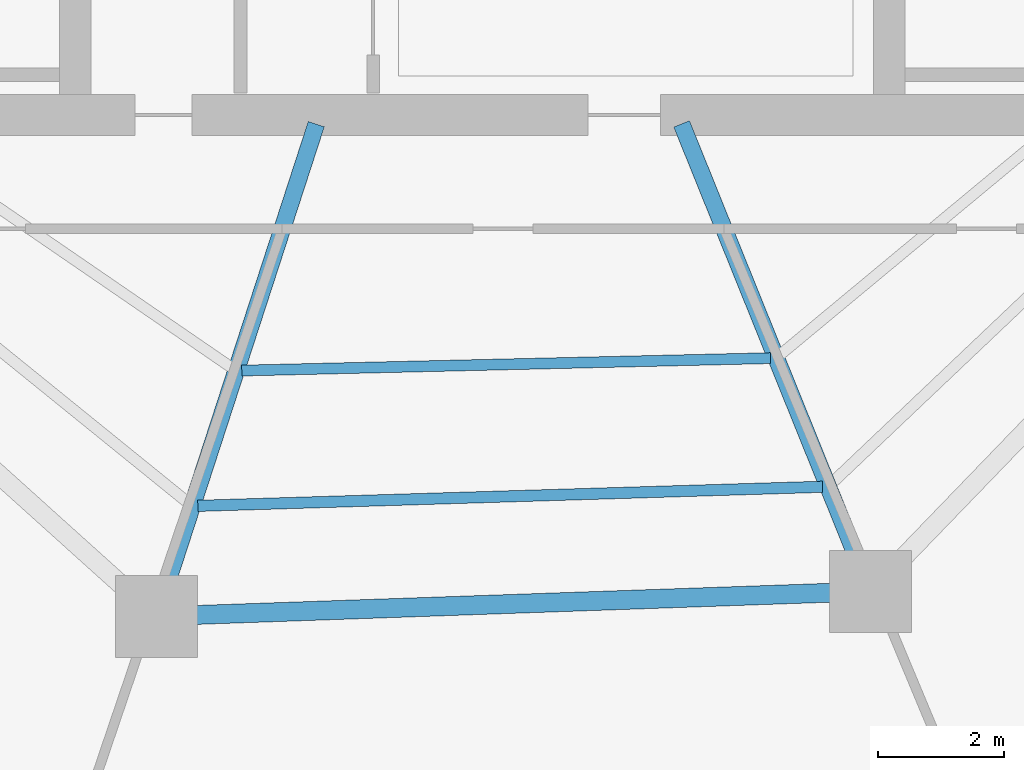
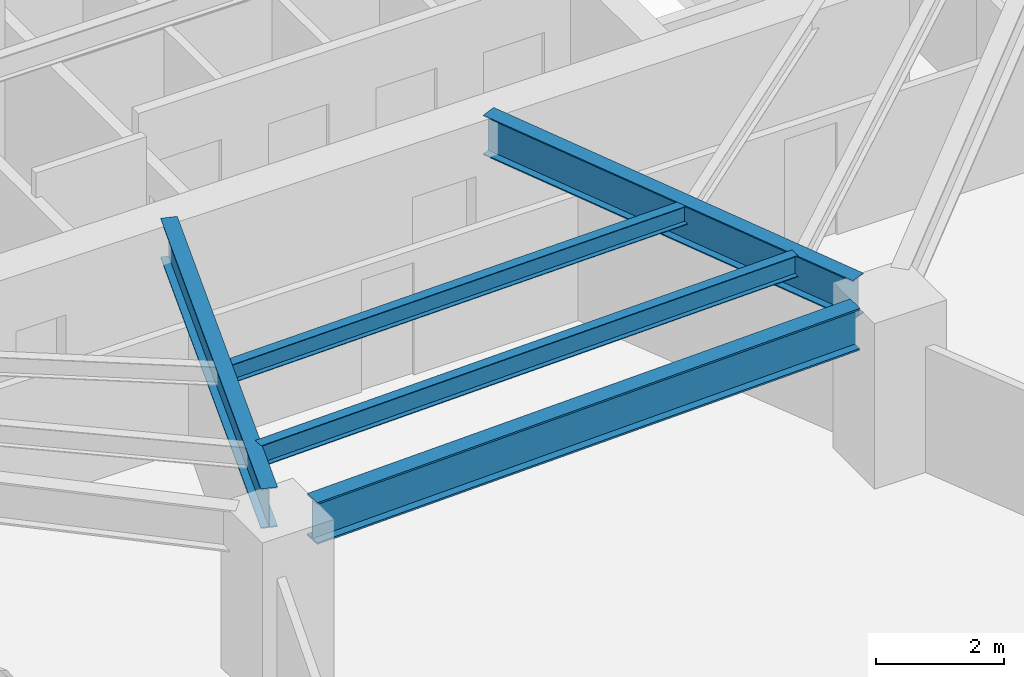
# One storey, part 6 of 30: 5 beams.
"""IFC4 building model written with IfcOpenShell, lengths in metres."""

from ifc_helpers import new_model, si_unit, direction, frame, origin, origin_2d, place, context, subcontext, project, spatial, i_section, extrude, material, material_profile, profile_set, type_object, element, save


model = new_model("IFC4")

# Units and contexts
model_context = context("Model", 3, precision=1e-05, world=origin(), true_north=direction((0.0, 1.0)))
body_context = subcontext(model_context, "Body", "Model", "MODEL_VIEW")
ifc_project = project(units=[si_unit("LENGTHUNIT", "METRE"), si_unit("AREAUNIT", "SQUARE_METRE"), si_unit("VOLUMEUNIT", "CUBIC_METRE"), si_unit("PLANEANGLEUNIT", "RADIAN"), si_unit("MASSUNIT", "GRAM", prefix="KILO")], contexts=[model_context])

# Site, building, storey
site_placement = place(None, origin())
site = spatial("IfcSite", under=ifc_project, at=site_placement, CompositionType="ELEMENT")
building_placement = place(site_placement, origin())
building = spatial("IfcBuilding", under=site, at=building_placement, Name="Qarnah Convention Tower", CompositionType="ELEMENT")
storey_placement = place(building_placement, frame((0.0, 0.0, 58.050048828125)))
storey = spatial("IfcBuildingStorey", under=building, at=storey_placement, Name="L14", CompositionType="ELEMENT", Elevation=58.050048828125)

# Beams
ifc_material = material(Name="Structural steel S355JR", Category="steel")
ifc_material_profile_1 = material_profile(ifc_material, i_section(OverallWidth=0.172119140625, OverallDepth=0.35595703125, WebThickness=0.007080078125, FlangeThickness=0.011962890625, at=origin_2d()), Name="W360X51")
ifc_profile_set_1 = profile_set([ifc_material_profile_1], Name="Structural steel S355JR")
beam_type_1 = type_object("IfcBeamType", Name="BM-JST-W360", PredefinedType="JOIST", material=ifc_profile_set_1)
beam_1_placement = place(storey_placement, frame((33.43994140625, 14.552978515625, 2.991943359375), z_axis=(0.999723467553, 0.023515705909, 0.0), x_axis=(-0.023515705909, 0.999723467553, 0.0)))
element("IfcBeam", 1, at=beam_1_placement, inside=storey, type_object=beam_type_1, Name="L14 joist BM-L14-IJST-07", PredefinedType="JOIST", context=body_context, shape_type="SweptSolid", body=[
    extrude(i_section(OverallWidth=0.172119140625, OverallDepth=0.35595703125, WebThickness=0.007080078125, FlangeThickness=0.011962890625, at=origin_2d()), origin(), (0.0, 0.0, 1.0), 8.378173828125),
])
ifc_material_profile_2 = material_profile(ifc_material, i_section(OverallWidth=0.177978515625, OverallDepth=0.407958984375, WebThickness=0.008056640625, FlangeThickness=0.012939453125, at=origin_2d()), Name="W410X60")
ifc_profile_set_2 = profile_set([ifc_material_profile_2], Name="Structural steel S355JR")
beam_type_2 = type_object("IfcBeamType", Name="BM-JST-W410", PredefinedType="JOIST", material=ifc_profile_set_2)
beam_2_placement = place(storey_placement, frame((32.743896484375, 12.409912109375, 2.966064453125), z_axis=(0.999534571563, 0.030506396867, 0.0), x_axis=(-0.030506396867, 0.999534571563, 0.0)))
element("IfcBeam", 2, at=beam_2_placement, inside=storey, type_object=beam_type_2, Name="L14 joist BM-L14-SJST-07", PredefinedType="JOIST", context=body_context, shape_type="SweptSolid", body=[
    extrude(i_section(OverallWidth=0.177978515625, OverallDepth=0.407958984375, WebThickness=0.008056640625, FlangeThickness=0.012939453125, at=origin_2d()), origin(), (0.0, 0.0, 1.0), 9.899658203125),
])
ifc_material_profile_3 = material_profile(ifc_material, i_section(OverallWidth=0.26806640625, OverallDepth=0.760009765625, WebThickness=0.014892578125, FlangeThickness=0.02197265625, at=origin_2d()), Name="W760X185")
ifc_profile_set_3 = profile_set([ifc_material_profile_3], Name="Structural steel S355JR")
beam_type_3 = type_object("IfcBeamType", Name="BM-RAD-W760", PredefinedType="BEAM", material=ifc_profile_set_3)
beam_3_placement = place(storey_placement, frame((34.6201171875, 18.45703125, 2.7900390625), z_axis=(-0.309057625925, -0.951043313345, 0.0), x_axis=(0.951043313345, -0.309057625925, 0.0)))
element("IfcBeam", 3, at=beam_3_placement, inside=storey, type_object=beam_type_3, Name="L14 beam BM-L14-RAD-07", PredefinedType="BEAM", context=body_context, shape_type="SweptSolid", body=[
    extrude(i_section(OverallWidth=0.26806640625, OverallDepth=0.760009765625, WebThickness=0.014892578125, FlangeThickness=0.02197265625, at=origin_2d()), origin(), (0.0, 0.0, 1.0), 7.568603515625),
])
beam_4_placement = place(storey_placement, frame((40.407958984375, 18.4609375, 2.7900390625), z_axis=(0.374586487969, -0.927191977441, 0.0), x_axis=(0.927191977441, 0.374586487969, 0.0)))
element("IfcBeam", 4, at=beam_4_placement, inside=storey, type_object=beam_type_3, Name="L14 beam BM-L14-RAD-08", PredefinedType="BEAM", context=body_context, shape_type="SweptSolid", body=[
    extrude(i_section(OverallWidth=0.26806640625, OverallDepth=0.760009765625, WebThickness=0.014892578125, FlangeThickness=0.02197265625, at=origin_2d()), origin(), (0.0, 0.0, 1.0), 7.357666015625),
])
ifc_material_profile_4 = material_profile(ifc_material, i_section(OverallWidth=0.300048828125, OverallDepth=0.800048828125, WebThickness=0.01806640625, FlangeThickness=0.032958984375, at=origin_2d()), Name="HEB800")
ifc_profile_set_4 = profile_set([ifc_material_profile_4], Name="Structural steel S355JR")
beam_type_4 = type_object("IfcBeamType", Name="BM-RING-HEB800", PredefinedType="BEAM", material=ifc_profile_set_4)
beam_5_placement = place(storey_placement, frame((32.72607421875, 10.681884765625, 2.77001953125), z_axis=(0.999388457365, 0.034967288783, 0.0), x_axis=(-0.034967288783, 0.999388457365, 0.0)))
element("IfcBeam", 5, at=beam_5_placement, inside=storey, type_object=beam_type_4, Name="L14 beam BM-L14-SPN-07", PredefinedType="BEAM", context=body_context, shape_type="SweptSolid", body=[
    extrude(i_section(OverallWidth=0.300048828125, OverallDepth=0.800048828125, WebThickness=0.01806640625, FlangeThickness=0.032958984375, at=origin_2d()), origin(), (0.0, 0.0, 1.0), 10.0400390625),
])

save(model, "model.ifc")
